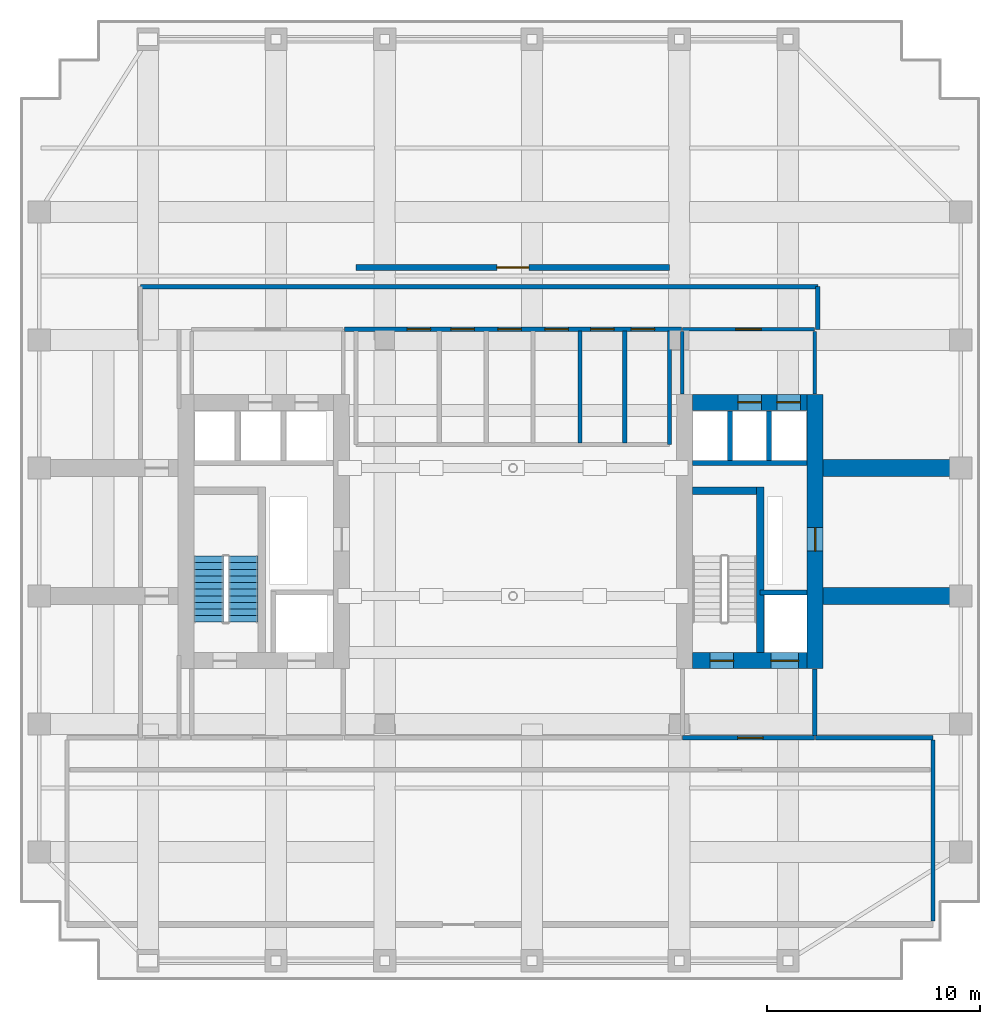
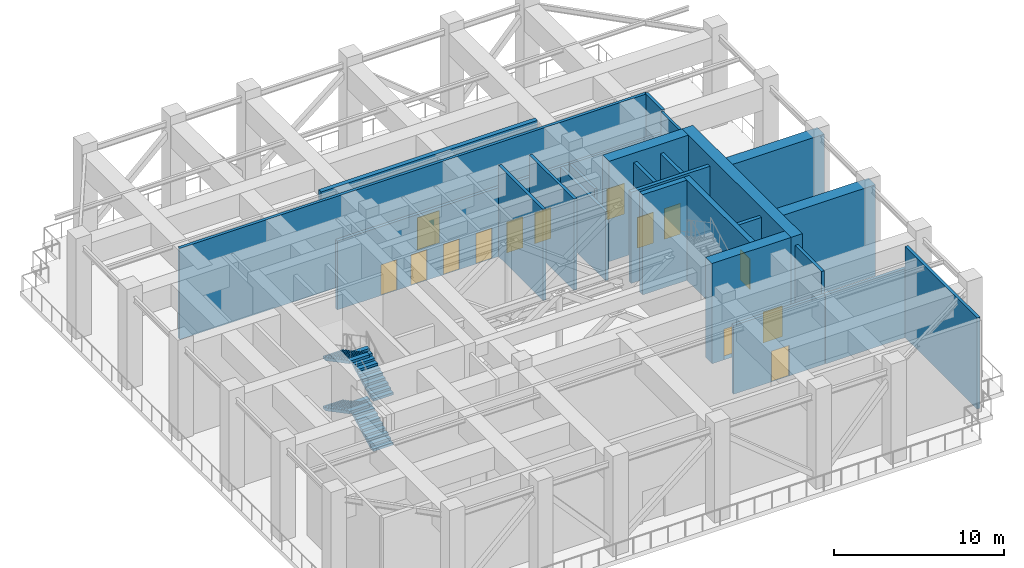
# One storey, part 5 of 10: 25 walls, 14 doors, 4 stair flights, 14 openings, 1 element without a shape of its own.
"""IFC4 building model written with IfcOpenShell, lengths in metres."""

from ifc_helpers import new_model, si_unit, direction, frame, frame_2d, origin, place, context, subcontext, project, spatial, polyline, rectangle, outline, extrude, source, transform, mapped, material, layer, layer_set, type_object, element, fill, aggregate, save


model = new_model("IFC4")

# Units and contexts
model_context = context("Model", 3, precision=1e-05, world=origin(), true_north=direction((0.0, 1.0)))
body_context = subcontext(model_context, "Body", "Model", "MODEL_VIEW")
ifc_project = project(units=[si_unit("LENGTHUNIT", "METRE"), si_unit("AREAUNIT", "SQUARE_METRE"), si_unit("VOLUMEUNIT", "CUBIC_METRE"), si_unit("PLANEANGLEUNIT", "RADIAN"), si_unit("MASSUNIT", "GRAM", prefix="KILO")], contexts=[model_context])

# Site, building, storey
site_placement = place(None, origin())
site = spatial("IfcSite", under=ifc_project, at=site_placement, CompositionType="ELEMENT")
building_placement = place(site_placement, origin())
building = spatial("IfcBuilding", under=site, at=building_placement, Name="Khoralis Quay Care Tower", CompositionType="ELEMENT")
storey_placement = place(building_placement, frame((0.0, 0.0, 148.5)))
storey = spatial("IfcBuildingStorey", under=building, at=storey_placement, Name="L39", CompositionType="ELEMENT", Elevation=148.5)

# Wall, opening, door
ifc_material_1 = material(Name="Gypsum plasterboard on acoustic metal stud")
ifc_layer_1 = layer(ifc_material_1, 0.199951171875)
ifc_layer_set_1 = layer_set([ifc_layer_1], Name="Gypsum plasterboard on acoustic metal stud")
wall_type_1 = type_object("IfcWallType", Name="WL-COMP-200", PredefinedType="PARTITIONING", material=ifc_layer_set_1)
wall_1_placement = place(storey_placement, frame((31.050048828125, 11.35009765625, 0.0), z_axis=(0.0, 0.0, 1.0), x_axis=(1.0, 0.0, 0.0)))
wall_1 = element("IfcWall", 1, at=wall_1_placement, inside=storey, type_object=wall_type_1, Name="L39 East Firefighting Lobby South Wall", PredefinedType="PARTITIONING", context=body_context, shape_type="SweptSolid", body=[
    extrude(rectangle(XDim=6.199951171875, YDim=0.199951171875, at=frame_2d((3.10009765625, 0.0))), origin(), (0.0, 0.0, 1.0), 4.949951171875),
])
opening_1_placement = place(wall_1_placement, frame((2.585693359375, 0.0, 0.0)))
opening_1 = element("IfcOpeningElement", 2, at=opening_1_placement, cuts=wall_1, Name="Opening FD1", PredefinedType="OPENING", context=body_context, shape_type="SweptSolid", body=[
    extrude(rectangle(XDim=1.199951171875, YDim=2.199951171875, at=frame_2d((0.60009765625, 1.10009765625))), frame((0.0, 0.10986328125, 0.0), z_axis=(0.0, -1.0, 0.0), x_axis=(1.0, 0.0, 0.0)), (0.0, 0.0, 1.0), 0.219970703125),
])
ifc_material_2 = material(Name="Fire-rated painted steel", Category="steel")
door_type_1 = type_object("IfcDoorType", Name="DR-FFL-1200X2200", OperationType="NOTDEFINED", PredefinedType="DOOR", material=ifc_material_2)
shared_shape_1 = source(origin(), body_context, "Body", "SweptSolid", [
    extrude(rectangle(XDim=1.199951171875, YDim=2.199951171875, at=frame_2d((0.60009765625, 1.10009765625))), frame((0.0, 0.02490234375, 0.0), z_axis=(0.0, -1.0, 0.0), x_axis=(1.0, 0.0, 0.0)), (0.0, 0.0, 1.0), 0.050048828125),
])
door_1_placement = place(opening_1_placement, origin())
door_1 = element("IfcDoor", 3, at=door_1_placement, inside=storey, type_object=door_type_1, Name="L39 East Firefighting Lobby Fire Door", OperationType="SINGLE_SWING_RIGHT", OverallHeight=2.199951171875, OverallWidth=1.199951171875, PredefinedType="DOOR", context=body_context, shape_type="MappedRepresentation", body=[
    mapped(shared_shape_1, transform((0.0, 0.0, 0.0), scale=1.0)),
])
fill(opening_1, door_1)

# Walls
wall_2_placement = place(storey_placement, frame((37.25, 11.469970703125, 0.0), z_axis=(0.0, 0.0, 1.0), x_axis=(0.0, 1.0, 0.0)))
element("IfcWall", 4, at=wall_2_placement, inside=storey, type_object=wall_type_1, Name="L39 East Firefighting Lobby East Wall", PredefinedType="PARTITIONING", context=body_context, shape_type="SweptSolid", body=[
    extrude(rectangle(XDim=3.110107421875, YDim=0.199951171875, at=frame_2d((1.55517578125, 0.0))), origin(), (0.0, 0.0, 1.0), 6.550048828125),
])
wall_3_placement = place(storey_placement, frame((42.800048828125, 2.77001953125, 0.0), z_axis=(0.0, 0.0, 1.0), x_axis=(0.0, 1.0, 0.0)))
element("IfcWall", 5, at=wall_3_placement, inside=storey, type_object=wall_type_1, Name="L39 Refuge East Compartment Wall", PredefinedType="PARTITIONING", context=body_context, shape_type="SweptSolid", body=[
    extrude(rectangle(XDim=8.47998046875, YDim=0.199951171875, at=frame_2d((4.239990234375, 0.0))), origin(), (0.0, 0.0, 1.0), 6.550048828125),
])
wall_4_placement = place(storey_placement, frame((37.300048828125, 11.35009765625, 0.0), z_axis=(0.0, 0.0, 1.0), x_axis=(1.0, 0.0, 0.0)))
element("IfcWall", 6, at=wall_4_placement, inside=storey, type_object=wall_type_1, Name="L39 Refuge Corridor North-East Cap", PredefinedType="PARTITIONING", context=body_context, shape_type="SweptSolid", body=[
    extrude(rectangle(XDim=5.5, YDim=0.199951171875, at=frame_2d((2.75, 0.0))), origin(), (0.0, 0.0, 1.0), 4.949951171875),
])
wall_5_placement = place(storey_placement, frame((5.64990234375, 32.5, 0.0), z_axis=(0.0, 0.0, 1.0), x_axis=(1.0, 0.0, 0.0)))
element("IfcWall", 7, at=wall_5_placement, inside=storey, type_object=wall_type_1, Name="L39 North Plant Corridor Outer Wall", PredefinedType="PARTITIONING", context=body_context, shape_type="SweptSolid", body=[
    extrude(rectangle(XDim=31.75, YDim=0.199951171875, at=frame_2d((15.875, 0.0))), origin(), (0.0, 0.0, 1.0), 6.550048828125),
])

# Wall, openings, doors
wall_6_placement = place(storey_placement, frame((15.199951171875, 30.5, 0.0), z_axis=(0.0, 0.0, 1.0), x_axis=(1.0, 0.0, 0.0)))
wall_6 = element("IfcWall", 8, at=wall_6_placement, inside=storey, type_object=wall_type_1, Name="L39 North Plant Corridor South Wall", PredefinedType="PARTITIONING", context=body_context, shape_type="SweptSolid", body=[
    extrude(rectangle(XDim=15.800048828125, YDim=0.199951171875, at=frame_2d((7.89990234375, 0.0))), origin(), (0.0, 0.0, 1.0), 4.949951171875),
])
opening_2_placement = place(wall_6_placement, frame((2.949951171875, 0.0, 0.0)))
opening_2 = element("IfcOpeningElement", 9, at=opening_2_placement, cuts=wall_6, Name="Opening SD1", PredefinedType="OPENING", context=body_context, shape_type="SweptSolid", body=[
    extrude(rectangle(XDim=1.10009765625, YDim=2.199951171875, at=frame_2d((0.550048828125, 1.10009765625))), frame((0.0, 0.10986328125, 0.0), z_axis=(0.0, -1.0, 0.0), x_axis=(1.0, 0.0, 0.0)), (0.0, 0.0, 1.0), 0.219970703125),
])
opening_3_placement = place(wall_6_placement, frame((5.0, 0.0, 0.0)))
opening_3 = element("IfcOpeningElement", 10, at=opening_3_placement, cuts=wall_6, Name="Opening SD1", PredefinedType="OPENING", context=body_context, shape_type="SweptSolid", body=[
    extrude(rectangle(XDim=1.10009765625, YDim=2.199951171875, at=frame_2d((0.550048828125, 1.10009765625))), frame((0.0, 0.10986328125, 0.0), z_axis=(0.0, -1.0, 0.0), x_axis=(1.0, 0.0, 0.0)), (0.0, 0.0, 1.0), 0.219970703125),
])
opening_4_placement = place(wall_6_placement, frame((7.199951171875, 0.0, 0.0)))
opening_4 = element("IfcOpeningElement", 11, at=opening_4_placement, cuts=wall_6, Name="Opening SD1", PredefinedType="OPENING", context=body_context, shape_type="SweptSolid", body=[
    extrude(rectangle(XDim=1.10009765625, YDim=2.199951171875, at=frame_2d((0.550048828125, 1.10009765625))), frame((0.0, 0.10986328125, 0.0), z_axis=(0.0, -1.0, 0.0), x_axis=(1.0, 0.0, 0.0)), (0.0, 0.0, 1.0), 0.219970703125),
])
opening_5_placement = place(wall_6_placement, frame((9.39990234375, 0.0, 0.0)))
opening_5 = element("IfcOpeningElement", 12, at=opening_5_placement, cuts=wall_6, Name="Opening SD1", PredefinedType="OPENING", context=body_context, shape_type="SweptSolid", body=[
    extrude(rectangle(XDim=1.10009765625, YDim=2.199951171875, at=frame_2d((0.550048828125, 1.10009765625))), frame((0.0, 0.10986328125, 0.0), z_axis=(0.0, -1.0, 0.0), x_axis=(1.0, 0.0, 0.0)), (0.0, 0.0, 1.0), 0.219970703125),
])
opening_6_placement = place(wall_6_placement, frame((11.550048828125, 0.0, 0.0)))
opening_6 = element("IfcOpeningElement", 13, at=opening_6_placement, cuts=wall_6, Name="Opening SD1", PredefinedType="OPENING", context=body_context, shape_type="SweptSolid", body=[
    extrude(rectangle(XDim=1.10009765625, YDim=2.199951171875, at=frame_2d((0.550048828125, 1.10009765625))), frame((0.0, 0.10986328125, 0.0), z_axis=(0.0, -1.0, 0.0), x_axis=(1.0, 0.0, 0.0)), (0.0, 0.0, 1.0), 0.219970703125),
])
opening_7_placement = place(wall_6_placement, frame((13.449951171875, 0.0, 0.0)))
opening_7 = element("IfcOpeningElement", 14, at=opening_7_placement, cuts=wall_6, Name="Opening SD1", PredefinedType="OPENING", context=body_context, shape_type="SweptSolid", body=[
    extrude(rectangle(XDim=1.10009765625, YDim=2.199951171875, at=frame_2d((0.550048828125, 1.10009765625))), frame((0.0, 0.10986328125, 0.0), z_axis=(0.0, -1.0, 0.0), x_axis=(1.0, 0.0, 0.0)), (0.0, 0.0, 1.0), 0.219970703125),
])
door_type_2 = type_object("IfcDoorType", Name="DR-STAIR-1100X2200", OperationType="NOTDEFINED", PredefinedType="DOOR", material=ifc_material_2)
shared_shape_2 = source(origin(), body_context, "Body", "SweptSolid", [
    extrude(rectangle(XDim=1.10009765625, YDim=2.199951171875, at=frame_2d((0.550048828125, 1.10009765625))), frame((0.0, 0.02490234375, 0.0), z_axis=(0.0, -1.0, 0.0), x_axis=(1.0, 0.0, 0.0)), (0.0, 0.0, 1.0), 0.050048828125),
])
door_2_placement = place(opening_2_placement, origin())
door_2 = element("IfcDoor", 15, at=door_2_placement, inside=storey, type_object=door_type_2, Name="L39 Pressurization AHU Plant Room Door", OperationType="SINGLE_SWING_LEFT", OverallHeight=2.199951171875, OverallWidth=1.10009765625, PredefinedType="DOOR", context=body_context, shape_type="MappedRepresentation", body=[
    mapped(shared_shape_2, transform((0.0, 0.0, 0.0), scale=1.0)),
])
fill(opening_2, door_2)
door_3_placement = place(opening_3_placement, origin())
door_3 = element("IfcDoor", 16, at=door_3_placement, inside=storey, type_object=door_type_2, Name="L39 Smoke Extract Fan Plant Room Door", OperationType="SINGLE_SWING_RIGHT", OverallHeight=2.199951171875, OverallWidth=1.10009765625, PredefinedType="DOOR", context=body_context, shape_type="MappedRepresentation", body=[
    mapped(shared_shape_2, transform((0.0, 0.0, 0.0), scale=1.0)),
])
fill(opening_3, door_3)
door_4_placement = place(opening_4_placement, origin())
door_4 = element("IfcDoor", 17, at=door_4_placement, inside=storey, type_object=door_type_2, Name="L39 Stair Pressurization Plant Room Door", OperationType="SINGLE_SWING_LEFT", OverallHeight=2.199951171875, OverallWidth=1.10009765625, PredefinedType="DOOR", context=body_context, shape_type="MappedRepresentation", body=[
    mapped(shared_shape_2, transform((0.0, 0.0, 0.0), scale=1.0)),
])
fill(opening_4, door_4)
door_5_placement = place(opening_5_placement, origin())
door_5 = element("IfcDoor", 18, at=door_5_placement, inside=storey, type_object=door_type_2, Name="L39 Fire Pump Booster Plant Room Door", OperationType="SINGLE_SWING_RIGHT", OverallHeight=2.199951171875, OverallWidth=1.10009765625, PredefinedType="DOOR", context=body_context, shape_type="MappedRepresentation", body=[
    mapped(shared_shape_2, transform((0.0, 0.0, 0.0), scale=1.0)),
])
fill(opening_5, door_5)
door_6_placement = place(opening_6_placement, origin())
door_6 = element("IfcDoor", 19, at=door_6_placement, inside=storey, type_object=door_type_2, Name="L39 Emergency Power Plant Room Door", OperationType="SINGLE_SWING_LEFT", OverallHeight=2.199951171875, OverallWidth=1.10009765625, PredefinedType="DOOR", context=body_context, shape_type="MappedRepresentation", body=[
    mapped(shared_shape_2, transform((0.0, 0.0, 0.0), scale=1.0)),
])
fill(opening_6, door_6)
door_7_placement = place(opening_7_placement, origin())
door_7 = element("IfcDoor", 20, at=door_7_placement, inside=storey, type_object=door_type_2, Name="L39 Heat Exchanger Plant Room Door", OperationType="SINGLE_SWING_RIGHT", OverallHeight=2.199951171875, OverallWidth=1.10009765625, PredefinedType="DOOR", context=body_context, shape_type="MappedRepresentation", body=[
    mapped(shared_shape_2, transform((0.0, 0.0, 0.0), scale=1.0)),
])
fill(opening_7, door_7)

# Walls
wall_7_placement = place(storey_placement, frame((37.39990234375, 30.5, 0.0), z_axis=(0.0, 0.0, 1.0), x_axis=(0.0, 1.0, 0.0)))
element("IfcWall", 21, at=wall_7_placement, inside=storey, type_object=wall_type_1, Name="L39 North Plant Corridor East Cap", PredefinedType="PARTITIONING", context=body_context, shape_type="SweptSolid", body=[
    extrude(rectangle(XDim=2.0, YDim=0.199951171875, at=frame_2d((1.0, 0.0))), origin(), (0.0, 0.0, 1.0), 6.550048828125),
])
wall_8_placement = place(storey_placement, frame((30.449951171875, 25.10009765625, 0.0), z_axis=(0.0, 0.0, 1.0), x_axis=(0.0, 1.0, 0.0)))
element("IfcWall", 22, at=wall_8_placement, inside=storey, type_object=wall_type_1, Name="L39 Plant Bank East Wall", PredefinedType="PARTITIONING", context=body_context, shape_type="SweptSolid", body=[
    extrude(rectangle(XDim=5.31982421875, YDim=0.199951171875, at=frame_2d((2.659912109375, 0.0))), origin(), (0.0, 0.0, 1.0), 4.949951171875),
])
for number, where, z_axis, x_axis, name in (
    (23, (26.25, 25.179931640625, 0.0), (0.0, 0.0, 1.0), (0.0, 1.0, 0.0), "L39 Plant Room Divider 4"),
    (24, (28.35009765625, 25.179931640625, 0.0), (0.0, 0.0, 1.0), (0.0, 1.0, 0.0), "L39 Plant Room Divider 5"),
):
    element("IfcWall", number, at=place(storey_placement, frame(where, z_axis=z_axis, x_axis=x_axis)), inside=storey, type_object=wall_type_1, Name=name, PredefinedType="PARTITIONING", context=body_context, shape_type="SweptSolid", body=[
        extrude(rectangle(XDim=5.239990234375, YDim=0.199951171875, at=frame_2d((2.6201171875, 0.0))), origin(), (0.0, 0.0, 1.0), 6.550048828125),
    ])

# Wall, opening, door
ifc_material_3 = material(Name="Concrete C80/95", Category="concrete")
ifc_layer_2 = layer(ifc_material_3, 0.75)
ifc_layer_set_2 = layer_set([ifc_layer_2], Name="Concrete C80/95")
wall_type_2 = type_object("IfcWallType", Name="WL-CORE-750", PredefinedType="SHEAR", material=ifc_layer_set_2)
wall_9_placement = place(storey_placement, frame((37.27490234375, 14.60009765625, 0.0), z_axis=(0.0, 0.0, 1.0), x_axis=(0.0, 1.0, 0.0)))
wall_9 = element("IfcWall", 25, at=wall_9_placement, inside=storey, type_object=wall_type_2, Name="L39 ECORE East Shear Wall", PredefinedType="SHEAR", context=body_context, shape_type="SweptSolid", body=[
    extrude(rectangle(XDim=12.849853515625, YDim=0.75, at=frame_2d((6.4248046875, 0.0))), origin(), (0.0, 0.0, 1.0), 7.199951171875),
])
opening_8_placement = place(wall_9_placement, frame((5.5, 0.0, 0.0)))
opening_8 = element("IfcOpeningElement", 26, at=opening_8_placement, cuts=wall_9, Name="Opening SD1", PredefinedType="OPENING", context=body_context, shape_type="SweptSolid", body=[
    extrude(rectangle(XDim=1.10009765625, YDim=2.199951171875, at=frame_2d((0.550048828125, 1.10009765625))), frame((0.0, 0.385009765625, 0.0), z_axis=(0.0, -1.0, 0.0), x_axis=(1.0, 0.0, 0.0)), (0.0, 0.0, 1.0), 0.77001953125),
])
door_8_placement = place(opening_8_placement, frame((1.10009765625, 0.0, 0.0), z_axis=(0.0, 0.0, 1.0), x_axis=(-1.0, 0.0, 0.0)))
door_8 = element("IfcDoor", 27, at=door_8_placement, inside=storey, type_object=door_type_2, Name="L39 East MEP Riser Door", OperationType="SINGLE_SWING_RIGHT", OverallHeight=2.199951171875, OverallWidth=1.10009765625, PredefinedType="DOOR", context=body_context, shape_type="MappedRepresentation", body=[
    mapped(shared_shape_2, transform((0.0, 0.0, 0.0), scale=1.0)),
])
fill(opening_8, door_8)

# Wall, openings, doors
wall_10_placement = place(storey_placement, frame((31.52001953125, 14.97509765625, 0.0), z_axis=(0.0, 0.0, 1.0), x_axis=(1.0, 0.0, 0.0)))
wall_10 = element("IfcWall", 28, at=wall_10_placement, inside=storey, type_object=wall_type_2, Name="L39 ECORE South Shear Wall", PredefinedType="SHEAR", context=body_context, shape_type="SweptSolid", body=[
    extrude(rectangle(XDim=5.3798828125, YDim=0.75, at=frame_2d((2.68994140625, 0.0))), origin(), (0.0, 0.0, 1.0), 7.199951171875),
])
opening_9_placement = place(wall_10_placement, frame((0.830078125, 0.0, 0.0)))
opening_9 = element("IfcOpeningElement", 29, at=opening_9_placement, cuts=wall_10, Name="Opening SD1", PredefinedType="OPENING", context=body_context, shape_type="SweptSolid", body=[
    extrude(rectangle(XDim=1.10009765625, YDim=2.199951171875, at=frame_2d((0.550048828125, 1.10009765625))), frame((0.0, 0.385009765625, 0.0), z_axis=(0.0, -1.0, 0.0), x_axis=(1.0, 0.0, 0.0)), (0.0, 0.0, 1.0), 0.77001953125),
])
opening_10_placement = place(wall_10_placement, frame((3.679931640625, 0.0, 0.0)))
opening_10 = element("IfcOpeningElement", 30, at=opening_10_placement, cuts=wall_10, Name="Opening LD2", PredefinedType="OPENING", context=body_context, shape_type="SweptSolid", body=[
    extrude(rectangle(XDim=1.300048828125, YDim=2.199951171875, at=frame_2d((0.64990234375, 1.10009765625))), frame((0.0, 0.385009765625, 0.0), z_axis=(0.0, -1.0, 0.0), x_axis=(1.0, 0.0, 0.0)), (0.0, 0.0, 1.0), 0.77001953125),
])
door_9_placement = place(opening_9_placement, origin())
door_9 = element("IfcDoor", 31, at=door_9_placement, inside=storey, type_object=door_type_2, Name="L39 Stair ST-T2 Fire Door", OperationType="SINGLE_SWING_RIGHT", OverallHeight=2.199951171875, OverallWidth=1.10009765625, PredefinedType="DOOR", context=body_context, shape_type="MappedRepresentation", body=[
    mapped(shared_shape_2, transform((0.0, 0.0, 0.0), scale=1.0)),
])
fill(opening_9, door_9)
ifc_material_4 = material(Name="Brushed stainless steel", Category="steel")
door_type_3 = type_object("IfcDoorType", Name="DR-LIFT-1300X2200", OperationType="SLIDING_TO_RIGHT", PredefinedType="DOOR", material=ifc_material_4)
shared_shape_3 = source(origin(), body_context, "Body", "SweptSolid", [
    extrude(rectangle(XDim=1.300048828125, YDim=2.199951171875, at=frame_2d((0.64990234375, 1.10009765625))), frame((0.0, 0.02490234375, 0.0), z_axis=(0.0, -1.0, 0.0), x_axis=(1.0, 0.0, 0.0)), (0.0, 0.0, 1.0), 0.050048828125),
])
door_10_placement = place(opening_10_placement, origin())
door_10 = element("IfcDoor", 32, at=door_10_placement, inside=storey, type_object=door_type_3, Name="L39 Firefighting Lift FFL-2 Landing Door", OperationType="SLIDING_TO_RIGHT", OverallHeight=2.199951171875, OverallWidth=1.300048828125, PredefinedType="DOOR", context=body_context, shape_type="MappedRepresentation", body=[
    mapped(shared_shape_3, transform((0.0, 0.0, 0.0), scale=1.0)),
])
fill(opening_10, door_10)

wall_11_placement = place(storey_placement, frame((31.52001953125, 27.074951171875, 0.0), z_axis=(0.0, 0.0, 1.0), x_axis=(1.0, 0.0, 0.0)))
wall_11 = element("IfcWall", 33, at=wall_11_placement, inside=storey, type_object=wall_type_2, Name="L39 ECORE North Shear Wall", PredefinedType="SHEAR", context=body_context, shape_type="SweptSolid", body=[
    extrude(rectangle(XDim=5.3798828125, YDim=0.75, at=frame_2d((2.68994140625, 0.0))), origin(), (0.0, 0.0, 1.0), 7.199951171875),
])
opening_11_placement = place(wall_11_placement, frame((2.1298828125, 0.0, 0.0)))
opening_11 = element("IfcOpeningElement", 34, at=opening_11_placement, cuts=wall_11, Name="Opening LD1", PredefinedType="OPENING", context=body_context, shape_type="SweptSolid", body=[
    extrude(rectangle(XDim=1.10009765625, YDim=2.199951171875, at=frame_2d((0.550048828125, 1.10009765625))), frame((0.0, 0.385009765625, 0.0), z_axis=(0.0, -1.0, 0.0), x_axis=(1.0, 0.0, 0.0)), (0.0, 0.0, 1.0), 0.77001953125),
])
opening_12_placement = place(wall_11_placement, frame((3.9599609375, 0.0, 0.0)))
opening_12 = element("IfcOpeningElement", 35, at=opening_12_placement, cuts=wall_11, Name="Opening LD1", PredefinedType="OPENING", context=body_context, shape_type="SweptSolid", body=[
    extrude(rectangle(XDim=1.10009765625, YDim=2.199951171875, at=frame_2d((0.550048828125, 1.10009765625))), frame((0.0, 0.385009765625, 0.0), z_axis=(0.0, -1.0, 0.0), x_axis=(1.0, 0.0, 0.0)), (0.0, 0.0, 1.0), 0.77001953125),
])
door_type_4 = type_object("IfcDoorType", Name="DR-LIFT-1100X2200", OperationType="SLIDING_TO_LEFT", PredefinedType="DOOR", material=ifc_material_4)
shared_shape_4 = source(origin(), body_context, "Body", "SweptSolid", [
    extrude(rectangle(XDim=1.10009765625, YDim=2.199951171875, at=frame_2d((0.550048828125, 1.10009765625))), frame((0.0, 0.02490234375, 0.0), z_axis=(0.0, -1.0, 0.0), x_axis=(1.0, 0.0, 0.0)), (0.0, 0.0, 1.0), 0.050048828125),
])
door_11_placement = place(opening_11_placement, origin())
door_11 = element("IfcDoor", 36, at=door_11_placement, inside=storey, type_object=door_type_4, Name="L39 Lift PLM2 Landing Door", OperationType="SLIDING_TO_LEFT", OverallHeight=2.199951171875, OverallWidth=1.10009765625, PredefinedType="DOOR", context=body_context, shape_type="MappedRepresentation", body=[
    mapped(shared_shape_4, transform((0.0, 0.0, 0.0), scale=1.0)),
])
fill(opening_11, door_11)
door_12_placement = place(opening_12_placement, origin())
door_12 = element("IfcDoor", 37, at=door_12_placement, inside=storey, type_object=door_type_4, Name="L39 Lift PLH2 Landing Door", OperationType="SLIDING_TO_LEFT", OverallHeight=2.199951171875, OverallWidth=1.10009765625, PredefinedType="DOOR", context=body_context, shape_type="MappedRepresentation", body=[
    mapped(shared_shape_4, transform((0.0, 0.0, 0.0), scale=1.0)),
])
fill(opening_12, door_12)

# Wall, opening, door
ifc_layer_3 = layer(ifc_material_1, 0.1650390625)
ifc_layer_set_3 = layer_set([ifc_layer_3], Name="Gypsum plasterboard on acoustic metal stud")
wall_type_3 = type_object("IfcWallType", Name="WL-CORR-165", PredefinedType="PARTITIONING", material=ifc_layer_set_3)
wall_12_placement = place(storey_placement, frame((31.050048828125, 30.5, 0.0), z_axis=(0.0, 0.0, 1.0), x_axis=(1.0, 0.0, 0.0)))
wall_12 = element("IfcWall", 38, at=wall_12_placement, inside=storey, type_object=wall_type_3, Name="L39 East Lift Lobby North Wall", PredefinedType="PARTITIONING", context=body_context, shape_type="SweptSolid", body=[
    extrude(rectangle(XDim=6.199951171875, YDim=0.1650390625, at=frame_2d((3.10009765625, 0.0))), origin(), (0.0, 0.0, 1.0), 4.949951171875),
])
opening_13_placement = place(wall_12_placement, frame((2.5, 0.0, 0.0)))
opening_13 = element("IfcOpeningElement", 39, at=opening_13_placement, cuts=wall_12, Name="Opening FD1", PredefinedType="OPENING", context=body_context, shape_type="SweptSolid", body=[
    extrude(rectangle(XDim=1.199951171875, YDim=2.199951171875, at=frame_2d((0.60009765625, 1.10009765625))), frame((0.0, 0.092529296875, 0.0), z_axis=(0.0, -1.0, 0.0), x_axis=(1.0, 0.0, 0.0)), (0.0, 0.0, 1.0), 0.18505859375),
])
door_13_placement = place(opening_13_placement, origin())
door_13 = element("IfcDoor", 40, at=door_13_placement, inside=storey, type_object=door_type_1, Name="L39 East Lift Lobby Double Door", OperationType="DOUBLE_DOOR_SINGLE_SWING", OverallHeight=2.199951171875, OverallWidth=1.199951171875, PredefinedType="DOOR", context=body_context, shape_type="MappedRepresentation", body=[
    mapped(shared_shape_1, transform((0.0, 0.0, 0.0), scale=1.0)),
])
fill(opening_13, door_13)

# Walls
wall_13_placement = place(storey_placement, frame((31.050048828125, 27.469970703125, 0.0), z_axis=(0.0, 0.0, 1.0), x_axis=(0.0, 1.0, 0.0)))
element("IfcWall", 41, at=wall_13_placement, inside=storey, type_object=wall_type_3, Name="L39 East Lift Lobby West Wall", PredefinedType="PARTITIONING", context=body_context, shape_type="SweptSolid", body=[
    extrude(rectangle(XDim=2.929931640625, YDim=0.1650390625, at=frame_2d((1.46484375, 0.0))), origin(), (0.0, 0.0, 1.0), 4.949951171875),
])
wall_14_placement = place(storey_placement, frame((37.25, 27.469970703125, 0.0), z_axis=(0.0, 0.0, 1.0), x_axis=(0.0, 1.0, 0.0)))
element("IfcWall", 42, at=wall_14_placement, inside=storey, type_object=wall_type_3, Name="L39 East Lift Lobby East Wall", PredefinedType="PARTITIONING", context=body_context, shape_type="SweptSolid", body=[
    extrude(rectangle(XDim=2.929931640625, YDim=0.1650390625, at=frame_2d((1.46484375, 0.0))), origin(), (0.0, 0.0, 1.0), 6.550048828125),
])

# Wall, opening, door
ifc_material_5 = material(Name="Precast concrete C45/55", Category="concrete")
ifc_layer_4 = layer(ifc_material_5, 0.300048828125)
ifc_layer_set_4 = layer_set([ifc_layer_4], Name="Precast concrete C45/55")
wall_type_4 = type_object("IfcWallType", Name="WL-EXT-REF-300", PredefinedType="SOLIDWALL", material=ifc_layer_set_4)
wall_15_placement = place(storey_placement, frame((15.75, 33.39990234375, 0.0), z_axis=(0.0, 0.0, 1.0), x_axis=(1.0, 0.0, 0.0)))
wall_15 = element("IfcWall", 43, at=wall_15_placement, inside=storey, type_object=wall_type_4, Name="L39 External Facade Wall WL-L39-REF-N", PredefinedType="SOLIDWALL", context=body_context, shape_type="SweptSolid", body=[
    extrude(rectangle(XDim=14.699951171875, YDim=0.300048828125, at=frame_2d((7.35009765625, 0.0))), origin(), (0.0, 0.0, 1.0), 6.550048828125),
])
opening_14_placement = place(wall_15_placement, frame((6.60009765625, 0.0, 0.0)))
opening_14 = element("IfcOpeningElement", 44, at=opening_14_placement, cuts=wall_15, Name="Opening TD1", PredefinedType="OPENING", context=body_context, shape_type="SweptSolid", body=[
    extrude(rectangle(XDim=1.5, YDim=2.300048828125, at=frame_2d((0.75, 1.14990234375))), frame((0.0, 0.16015625, 0.0), z_axis=(0.0, -1.0, 0.0), x_axis=(1.0, 0.0, 0.0)), (0.0, 0.0, 1.0), 0.320068359375),
])
ifc_material_6 = material(Name="Anodised aluminium and laminated safety glass", Category="aluminium")
door_type_5 = type_object("IfcDoorType", Name="DR-EXT-TERR-1500X2300", OperationType="NOTDEFINED", PredefinedType="DOOR", material=ifc_material_6)
shared_shape_5 = source(origin(), body_context, "Body", "SweptSolid", [
    extrude(rectangle(XDim=1.5, YDim=2.300048828125, at=frame_2d((0.75, 1.14990234375))), frame((0.0, 0.02490234375, 0.0), z_axis=(0.0, -1.0, 0.0), x_axis=(1.0, 0.0, 0.0)), (0.0, 0.0, 1.0), 0.050048828125),
])
door_14_placement = place(opening_14_placement, origin())
door_14 = element("IfcDoor", 45, at=door_14_placement, inside=storey, type_object=door_type_5, Name="L39 Wind-Slot Deck Door North", OperationType="DOUBLE_DOOR_SINGLE_SWING", OverallHeight=2.300048828125, OverallWidth=1.5, PredefinedType="DOOR", context=body_context, shape_type="MappedRepresentation", body=[
    mapped(shared_shape_5, transform((0.0, 0.0, 0.0), scale=1.0)),
])
fill(opening_14, door_14)

# Walls
ifc_layer_5 = layer(ifc_material_3, 0.800048828125)
ifc_layer_set_5 = layer_set([ifc_layer_5], Name="Concrete C80/95")
wall_type_5 = type_object("IfcWallType", Name="WL-OUTRIGGER-800", PredefinedType="SOLIDWALL", material=ifc_layer_set_5)
for number, where, z_axis, x_axis, name in (
    (46, (37.64990234375, 18.0, 0.0), (0.0, 0.0, 1.0), (1.0, 0.0, 0.0), "L39 East Outrigger Wall S"),
    (47, (37.64990234375, 24.0, 0.0), (0.0, 0.0, 1.0), (1.0, 0.0, 0.0), "L39 East Outrigger Wall N"),
):
    element("IfcWall", number, at=place(storey_placement, frame(where, z_axis=z_axis, x_axis=x_axis)), inside=storey, type_object=wall_type_5, Name=name, PredefinedType="SOLIDWALL", context=body_context, shape_type="SweptSolid", body=[
        extrude(rectangle(XDim=6.7001953125, YDim=0.800048828125, at=frame_2d((3.35009765625, 0.0))), origin(), (0.0, 0.0, 1.0), 6.550048828125),
    ])
ifc_material_7 = material(Name="Concrete C40/50", Category="concrete")
ifc_layer_6 = layer(ifc_material_7, 0.35009765625)
ifc_layer_set_6 = layer_set([ifc_layer_6], Name="Concrete C40/50")
wall_type_6 = type_object("IfcWallType", Name="WL-SC-CORE-350", PredefinedType="SHEAR", material=ifc_layer_set_6)
wall_16_placement = place(storey_placement, frame((34.695068359375, 15.35009765625, 0.0), z_axis=(0.0, 0.0, 1.0), x_axis=(0.0, 1.0, 0.0)))
element("IfcWall", 48, at=wall_16_placement, inside=storey, type_object=wall_type_6, Name="L39 Stair ST-T2 Shear Baffle Wall East", PredefinedType="SHEAR", context=body_context, shape_type="SweptSolid", body=[
    extrude(rectangle(XDim=7.75, YDim=0.35009765625, at=frame_2d((3.875, 0.0))), origin(), (0.0, 0.0, 1.0), 7.199951171875),
])
wall_17_placement = place(storey_placement, frame((31.52001953125, 22.925048828125, 0.0), z_axis=(0.0, 0.0, 1.0), x_axis=(1.0, 0.0, 0.0)))
element("IfcWall", 49, at=wall_17_placement, inside=storey, type_object=wall_type_6, Name="L39 Stair ST-T2 Shear Baffle Wall North", PredefinedType="SHEAR", context=body_context, shape_type="SweptSolid", body=[
    extrude(rectangle(XDim=3.0, YDim=0.35009765625, at=frame_2d((1.5, 0.0))), origin(), (0.0, 0.0, 1.0), 7.199951171875),
])
ifc_layer_7 = layer(ifc_material_1, 0.239990234375)
ifc_layer_set_7 = layer_set([ifc_layer_7], Name="Gypsum plasterboard on acoustic metal stud")
wall_type_7 = type_object("IfcWallType", Name="WL-SHAFT-240", PredefinedType="PARTITIONING", material=ifc_layer_set_7)
wall_18_placement = place(storey_placement, frame((34.679931640625, 18.169921875, 0.0), z_axis=(0.0, 0.0, 1.0), x_axis=(1.0, 0.0, 0.0)))
element("IfcWall", 50, at=wall_18_placement, inside=storey, type_object=wall_type_7, Name="L39 FFL-2 Shaft Wall North", PredefinedType="PARTITIONING", context=body_context, shape_type="SweptSolid", body=[
    extrude(rectangle(XDim=2.199951171875, YDim=0.239990234375, at=frame_2d((1.10009765625, 0.0))), origin(), (0.0, 0.0, 1.0), 6.550048828125),
])
wall_19_placement = place(storey_placement, frame((31.52001953125, 24.22998046875, 0.0), z_axis=(0.0, 0.0, 1.0), x_axis=(1.0, 0.0, 0.0)))
element("IfcWall", 51, at=wall_19_placement, inside=storey, type_object=wall_type_7, Name="L39 East Passenger Shaft South Wall", PredefinedType="PARTITIONING", context=body_context, shape_type="SweptSolid", body=[
    extrude(rectangle(XDim=5.35986328125, YDim=0.239990234375, at=frame_2d((2.679931640625, 0.0))), origin(), (0.0, 0.0, 1.0), 6.550048828125),
])
for number, where, z_axis, x_axis, name in (
    (52, (33.2900390625, 24.360107421875, 0.0), (0.0, 0.0, 1.0), (0.0, 1.0, 0.0), "L39 East Shaft Divider 1"),
    (53, (35.110107421875, 24.360107421875, 0.0), (0.0, 0.0, 1.0), (0.0, 1.0, 0.0), "L39 East Shaft Divider 2"),
):
    element("IfcWall", number, at=place(storey_placement, frame(where, z_axis=z_axis, x_axis=x_axis)), inside=storey, type_object=wall_type_7, Name=name, PredefinedType="PARTITIONING", context=body_context, shape_type="SweptSolid", body=[
        extrude(rectangle(XDim=2.31982421875, YDim=0.239990234375, at=frame_2d((1.159912109375, 0.0))), origin(), (0.0, 0.0, 1.0), 6.550048828125),
    ])

# Stair, stair flights
stair_type = type_object("IfcStairType", Name="ST-TWR-DOGLEG-1400", PredefinedType="HALF_TURN_STAIR", material=ifc_material_5)
stair_placement = place(storey_placement, origin())
stair = element("IfcStair", 54, at=stair_placement, inside=storey, type_object=stair_type, Name="L39 West Core Exit Stair ST-T1", PredefinedType="HALF_TURN_STAIR")
stair_flight_type = type_object("IfcStairFlightType", Name="SF-TWR-1400", PredefinedType="STRAIGHT", material=ifc_material_5)
shared_shape_6 = source(origin(), body_context, "Body", "SweptSolid", [
    extrude(outline(polyline([(0.0, 0.0), (0.0, 0.16357421875), (0.31005859375, 0.16357421875), (0.31005859375, 0.327392578125), (0.6201171875, 0.327392578125), (0.6201171875, 0.490966796875), (0.929931640625, 0.490966796875), (0.929931640625, 0.654541015625), (1.239990234375, 0.654541015625), (1.239990234375, 0.818115234375), (1.550048828125, 0.818115234375), (1.550048828125, 0.98193359375), (1.860107421875, 0.98193359375), (1.860107421875, 1.1455078125), (2.169921875, 1.1455078125), (2.169921875, 1.30908203125), (2.47998046875, 1.30908203125), (2.47998046875, 1.47265625), (2.7900390625, 1.47265625), (2.7900390625, 1.636474609375), (3.10009765625, 1.636474609375), (3.10009765625, 1.800048828125), (3.10009765625, 1.466796875), (0.321044921875, 0.0), (0.0, 0.0)])), frame((0.0, 0.68994140625, 0.0), z_axis=(0.0, -1.0, 0.0), x_axis=(1.0, 0.0, 0.0)), (0.0, 0.0, 1.0), 1.3798828125),
])
stair_flight_1_placement = place(storey_placement, frame((10.4599609375, 16.77001953125, 0.0), z_axis=(0.0, 0.0, 1.0), x_axis=(0.0, 1.0, 0.0)))
stair_flight_1 = element("IfcStairFlight", 55, at=stair_flight_1_placement, type_object=stair_flight_type, Name="ST-T1 flight 1", NumberOfRisers=11, NumberOfTreads=10, PredefinedType="STRAIGHT", RiserHeight=0.163636364, TreadLength=0.31, context=body_context, shape_type="MappedRepresentation", body=[
    mapped(shared_shape_6, transform((0.0, 0.0, 0.0), scale=1.0)),
])
stair_flight_2_placement = place(storey_placement, frame((8.840087890625, 19.8701171875, 1.800048828125), z_axis=(0.0, 0.0, 1.0), x_axis=(0.0, -1.0, 0.0)))
stair_flight_2 = element("IfcStairFlight", 56, at=stair_flight_2_placement, type_object=stair_flight_type, Name="ST-T1 flight 2", NumberOfRisers=11, NumberOfTreads=10, PredefinedType="STRAIGHT", RiserHeight=0.163636364, TreadLength=0.31, context=body_context, shape_type="MappedRepresentation", body=[
    mapped(shared_shape_6, transform((0.0, 0.0, 0.0), scale=1.0)),
])
stair_flight_3_placement = place(storey_placement, frame((10.4599609375, 16.77001953125, 3.60009765625), z_axis=(0.0, 0.0, 1.0), x_axis=(0.0, 1.0, 0.0)))
stair_flight_3 = element("IfcStairFlight", 57, at=stair_flight_3_placement, type_object=stair_flight_type, Name="ST-T1 flight 3", NumberOfRisers=11, NumberOfTreads=10, PredefinedType="STRAIGHT", RiserHeight=0.163636364, TreadLength=0.31, context=body_context, shape_type="MappedRepresentation", body=[
    mapped(shared_shape_6, transform((0.0, 0.0, 0.0), scale=1.0)),
])
stair_flight_4_placement = place(storey_placement, frame((8.840087890625, 19.8701171875, 5.39990234375), z_axis=(0.0, 0.0, 1.0), x_axis=(0.0, -1.0, 0.0)))
stair_flight_4 = element("IfcStairFlight", 58, at=stair_flight_4_placement, type_object=stair_flight_type, Name="ST-T1 flight 4", NumberOfRisers=11, NumberOfTreads=10, PredefinedType="STRAIGHT", RiserHeight=0.163636364, TreadLength=0.31, context=body_context, shape_type="MappedRepresentation", body=[
    mapped(shared_shape_6, transform((0.0, 0.0, 0.0), scale=1.0)),
])
aggregate(stair, [stair_flight_1, stair_flight_2, stair_flight_3, stair_flight_4])

save(model, "model.ifc")
